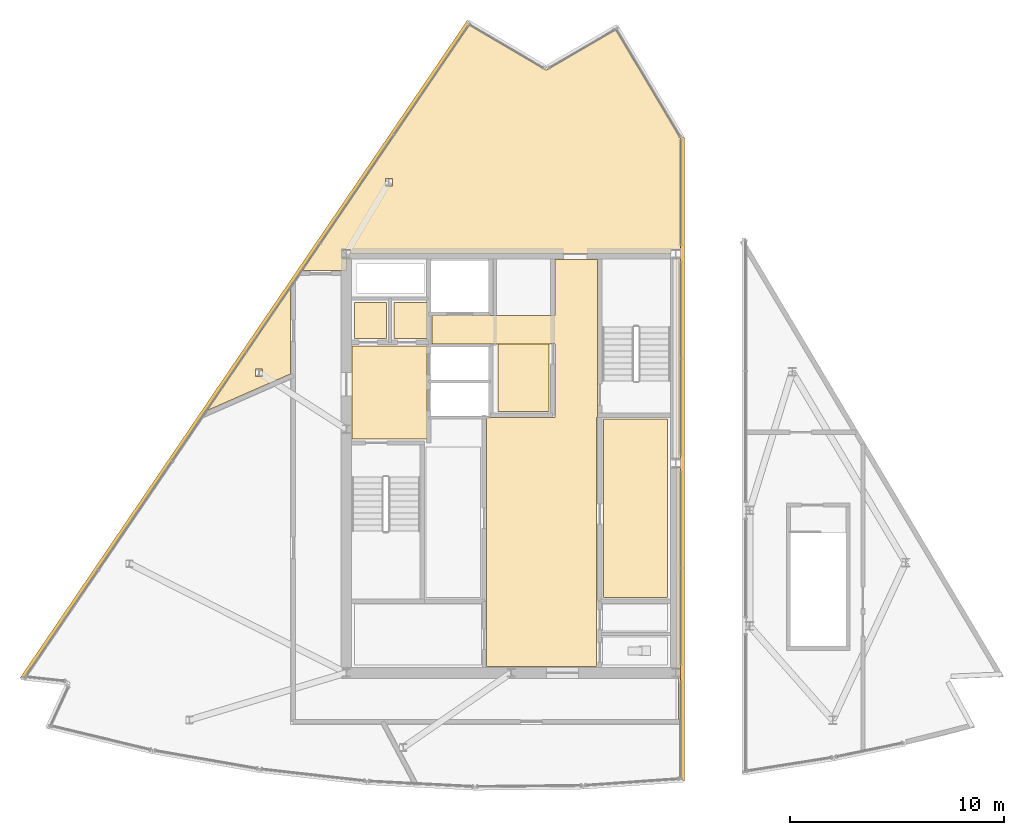
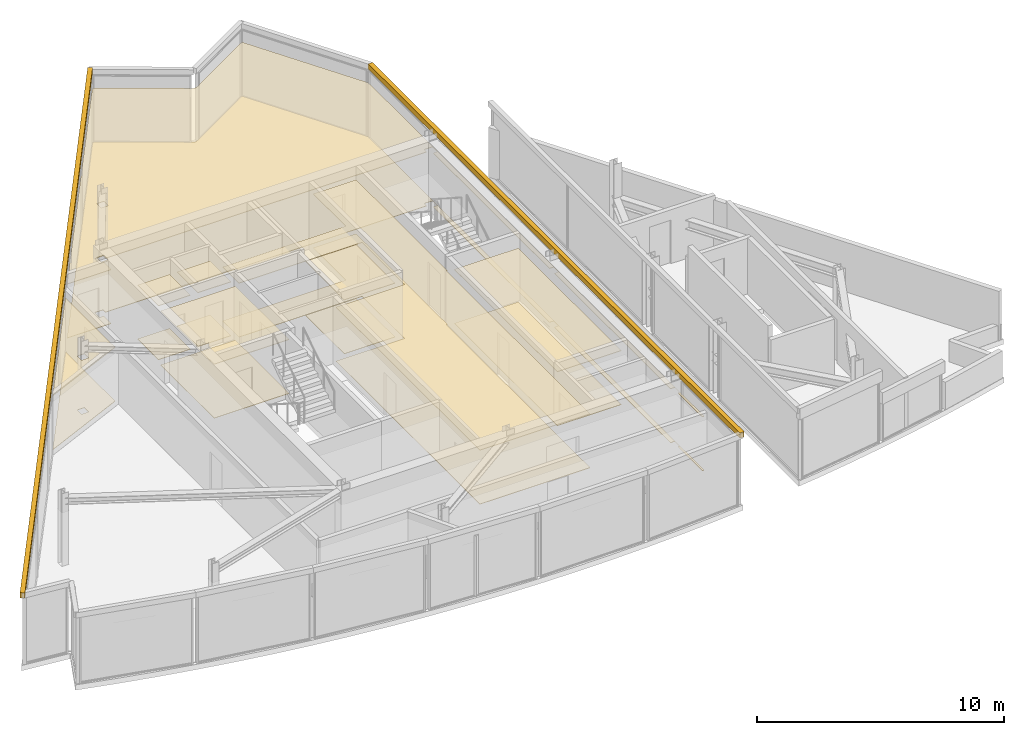
# One storey, part 11 of 13: 18 coverings.
"""IFC4 building model written with IfcOpenShell, lengths in metres."""

from ifc_helpers import new_model, si_unit, direction, frame, origin, place, context, subcontext, project, spatial, polyline, outline, extrude, material, layer, layer_set, type_object, element, save


model = new_model("IFC4")

# Units and contexts
model_context = context("Model", 3, precision=1e-05, world=origin(), true_north=direction((0.0, 1.0)))
body_context = subcontext(model_context, "Body", "Model", "MODEL_VIEW")
ifc_project = project(units=[si_unit("LENGTHUNIT", "METRE"), si_unit("AREAUNIT", "SQUARE_METRE"), si_unit("VOLUMEUNIT", "CUBIC_METRE"), si_unit("PLANEANGLEUNIT", "RADIAN"), si_unit("MASSUNIT", "GRAM", prefix="KILO")], contexts=[model_context])

# Site, building, storey
site_placement = place(None, origin())
site = spatial("IfcSite", under=ifc_project, at=site_placement, CompositionType="ELEMENT")
building_placement = place(site_placement, origin())
building = spatial("IfcBuilding", under=site, at=building_placement, Name="Savorim Split Tower", CompositionType="ELEMENT")
storey_placement = place(building_placement, frame((0.0, 0.0, 312.0)))
storey = spatial("IfcBuildingStorey", under=building, at=storey_placement, Name="Crown L83 Plant", CompositionType="ELEMENT", Elevation=312.0)

# Coverings
ifc_material_1 = material(Name="Mineral Fibre Acoustic Ceiling")
ifc_layer_1 = layer(ifc_material_1, 0.02490234375)
ifc_layer_set_1 = layer_set([ifc_layer_1], Name="COV-CEIL-25")
covering_type_1 = type_object("IfcCoveringType", Name="COV-CEIL-25", PredefinedType="CEILING", material=ifc_layer_set_1)
covering_1_placement = place(storey_placement, frame((0.0, 0.0, 2.659912109375)))
element("IfcCovering", 1, at=covering_1_placement, inside=storey, type_object=covering_type_1, Name="Crown L83 Plant Crown Stair Lobby Acoustic Ceiling", PredefinedType="CEILING", context=body_context, shape_type="SweptSolid", body=[
    extrude(outline(polyline([(-7.429931640625, 5.8701171875), (-7.429931640625, 1.530029296875), (-3.929931640625, 1.530029296875), (-3.929931640625, 5.8701171875), (-7.429931640625, 5.8701171875)])), origin(), (0.0, 0.0, 1.0), 0.025146484375),
])
covering_2_placement = place(storey_placement, frame((0.0, 0.0, 2.659912109375)))
element("IfcCovering", 2, at=covering_2_placement, inside=storey, type_object=covering_type_1, Name="Crown L83 Plant Electrical Riser Acoustic Ceiling", PredefinedType="CEILING", context=body_context, shape_type="SweptSolid", body=[
    extrude(outline(polyline([(-7.320068359375, 7.919921875), (-7.320068359375, 6.22998046875), (-5.830078125, 6.22998046875), (-5.830078125, 7.919921875), (-7.320068359375, 7.919921875)])), origin(), (0.0, 0.0, 1.0), 0.025146484375),
])
covering_3_placement = place(storey_placement, frame((0.0, 0.0, 2.659912109375)))
element("IfcCovering", 3, at=covering_3_placement, inside=storey, type_object=covering_type_1, Name="Crown L83 Plant Telecom Riser Acoustic Ceiling", PredefinedType="CEILING", context=body_context, shape_type="SweptSolid", body=[
    extrude(outline(polyline([(-5.469970703125, 7.919921875), (-5.469970703125, 6.22998046875), (-3.929931640625, 6.22998046875), (-3.929931640625, 7.919921875), (-5.469970703125, 7.919921875)])), origin(), (0.0, 0.0, 1.0), 0.025146484375),
])
covering_4_placement = place(storey_placement, frame((0.0, 0.0, 2.659912109375)))
element("IfcCovering", 4, at=covering_4_placement, inside=storey, type_object=covering_type_1, Name="Crown L83 Plant Lift Lobby Acoustic Ceiling", PredefinedType="CEILING", context=body_context, shape_type="SweptSolid", body=[
    extrude(outline(polyline([(2.050048828125, 2.550048828125), (-1.14990234375, 2.550048828125), (-1.14990234375, -9.10009765625), (4.0, -9.10009765625), (4.0, 2.550048828125), (4.050048828125, 2.550048828125), (4.050048828125, 5.97998046875), (4.050048828125, 7.300048828125), (4.050048828125, 9.929931640625), (2.050048828125, 9.929931640625), (2.050048828125, 7.300048828125), (-3.699951171875, 7.300048828125), (-3.699951171875, 5.97998046875), (2.050048828125, 5.97998046875), (2.050048828125, 2.550048828125)])), origin(), (0.0, 0.0, 1.0), 0.025146484375),
])
covering_5_placement = place(storey_placement, frame((0.0, 0.0, 2.659912109375)))
element("IfcCovering", 5, at=covering_5_placement, inside=storey, type_object=covering_type_1, Name="Crown L83 Plant Substructure Core Store East Acoustic Ceiling", PredefinedType="CEILING", context=body_context, shape_type="SweptSolid", body=[
    extrude(outline(polyline([(4.330078125, 2.469970703125), (4.330078125, -5.8701171875), (7.320068359375, -5.8701171875), (7.320068359375, 2.469970703125), (4.330078125, 2.469970703125)])), origin(), (0.0, 0.0, 1.0), 0.025146484375),
])
covering_6_placement = place(storey_placement, frame((0.0, 0.0, 2.659912109375)))
element("IfcCovering", 6, at=covering_6_placement, inside=storey, type_object=covering_type_1, Name="Crown L83 Plant Crown BMS Plant Room Acoustic Ceiling", PredefinedType="CEILING", context=body_context, shape_type="SweptSolid", body=[
    extrude(outline(polyline([(1.77001953125, 5.969970703125), (-0.60009765625, 5.969970703125), (-0.60009765625, 2.830078125), (1.77001953125, 2.830078125), (1.77001953125, 5.969970703125)])), origin(), (0.0, 0.0, 1.0), 0.025146484375),
])
covering_7_placement = place(storey_placement, frame((0.0, 0.0, 2.659912109375)))
element("IfcCovering", 7, at=covering_7_placement, inside=storey, type_object=covering_type_1, Name="Crown L83 Plant Booster Pump Plant Room Acoustic Ceiling", PredefinedType="CEILING", context=body_context, shape_type="SweptSolid", body=[
    extrude(outline(polyline([(1.58349609375, 18.802490234375), (1.57177734375, 18.808837890625), (-1.950927734375, 20.879150390625), (-9.760009765625, 9.39990234375), (-7.699951171875, 9.39990234375), (-7.699951171875, 10.00390625), (-7.89697265625, 10.00390625), (-7.89697265625, 10.39599609375), (-7.5029296875, 10.39599609375), (-7.5029296875, 10.199951171875), (7.5029296875, 10.199951171875), (7.5029296875, 10.39599609375), (7.89697265625, 10.39599609375), (7.89697265625, 10.00390625), (7.699951171875, 10.00390625), (7.699951171875, 0.595947265625), (7.89697265625, 0.595947265625), (7.89697265625, 0.2041015625), (7.699951171875, 0.2041015625), (7.699951171875, -9.2041015625), (7.89697265625, -9.2041015625), (7.89697265625, -9.595947265625), (7.820068359375, -9.595947265625), (7.820068359375, -11.56005859375), (7.909912109375, -11.56005859375), (7.909912109375, 15.59619140625), (4.896484375, 20.6640625), (1.713134765625, 18.80859375), (1.701171875, 18.802490234375), (1.688720703125, 18.79736328125), (1.67578125, 18.793701171875), (1.66259765625, 18.791015625), (1.649169921875, 18.789794921875), (1.635498046875, 18.789794921875), (1.622314453125, 18.791015625), (1.60888671875, 18.793701171875), (1.59619140625, 18.797607421875), (1.58349609375, 18.802490234375)]), holes=[polyline([(-5.545166015625, 13.71728515625), (-5.875244140625, 13.71728515625), (-5.875244140625, 13.3671875), (-5.545166015625, 13.3671875), (-5.545166015625, 13.71728515625)])]), origin(), (0.0, 0.0, 1.0), 0.025146484375),
])
covering_8_placement = place(storey_placement, frame((0.0, 0.0, 2.659912109375)))
element("IfcCovering", 8, at=covering_8_placement, inside=storey, type_object=covering_type_1, Name="Crown L83 Plant Smoke Extract Fan Plant Room Acoustic Ceiling", PredefinedType="CEILING", context=body_context, shape_type="SweptSolid", body=[
    extrude(outline(polyline([(-14.205078125, 2.865478515625), (-10.300048828125, 4.578369140625), (-10.300048828125, 8.606201171875), (-14.205078125, 2.865478515625)]), holes=[polyline([(-11.6103515625, 4.451904296875), (-11.6103515625, 4.8017578125), (-11.940185546875, 4.8017578125), (-11.940185546875, 4.451904296875), (-11.6103515625, 4.451904296875)])]), origin(), (0.0, 0.0, 1.0), 0.025146484375),
])
ifc_material_2 = material(Name="Terracotta Ceramic-Coated Aluminium Fin", Category="masonry")
ifc_layer_2 = layer(ifc_material_2, 0.050048828125)
ifc_layer_set_2 = layer_set([ifc_layer_2], Name="COV-CLAD-TERRA")
covering_type_2 = type_object("IfcCoveringType", Name="COV-CLAD-TERRA", PredefinedType="CLADDING", material=ifc_layer_set_2)
covering_9_placement = place(storey_placement, frame((0.0, 0.0, 3.340087890625)))
element("IfcCovering", 9, at=covering_9_placement, inside=storey, type_object=covering_type_2, Name="Crown L83 Plant Sloped Crest Eave Spandrel W1", PredefinedType="CLADDING", context=body_context, shape_type="SweptSolid", body=[
    extrude(outline(polyline([(8.110107421875, -14.44921875), (8.110107421875, 15.634765625), (7.909912109375, 15.634765625), (7.909912109375, -14.44921875), (8.110107421875, -14.44921875)])), origin(), (0.0, 0.0, 1.0), 0.260009765625),
])
covering_10_placement = place(storey_placement, frame((0.0, 0.0, 3.340087890625)))
element("IfcCovering", 10, at=covering_10_placement, inside=storey, type_object=covering_type_2, Name="Crown L83 Plant Sloped Crest Eave Spandrel W5", PredefinedType="CLADDING", context=body_context, shape_type="SweptSolid", body=[
    extrude(outline(polyline([(-2.04248046875, 21.10009765625), (-22.95068359375, -9.634521484375), (-22.78515625, -9.7470703125), (-1.877197265625, 20.987548828125), (-2.04248046875, 21.10009765625)])), origin(), (0.0, 0.0, 1.0), 0.260009765625),
])
ifc_material_3 = material(Name="Porcelain Stoneware Flooring", Category="masonry")
ifc_layer_3 = layer(ifc_material_3, 0.02001953125)
ifc_layer_set_3 = layer_set([ifc_layer_3], Name="COV-FLOR-20")
covering_type_3 = type_object("IfcCoveringType", Name="COV-FLOR-20", PredefinedType="FLOORING", material=ifc_layer_set_3)
covering_11_placement = place(storey_placement, origin())
element("IfcCovering", 11, at=covering_11_placement, inside=storey, type_object=covering_type_3, Name="Crown L83 Plant Crown Stair Lobby Porcelain Flooring", PredefinedType="FLOORING", context=body_context, shape_type="SweptSolid", body=[
    extrude(outline(polyline([(-7.429931640625, 5.8701171875), (-7.429931640625, 1.530029296875), (-3.929931640625, 1.530029296875), (-3.929931640625, 5.8701171875), (-7.429931640625, 5.8701171875)])), origin(), (0.0, 0.0, 1.0), 0.02001953125),
])
covering_12_placement = place(storey_placement, origin())
element("IfcCovering", 12, at=covering_12_placement, inside=storey, type_object=covering_type_3, Name="Crown L83 Plant Electrical Riser Porcelain Flooring", PredefinedType="FLOORING", context=body_context, shape_type="SweptSolid", body=[
    extrude(outline(polyline([(-7.320068359375, 7.919921875), (-7.320068359375, 6.22998046875), (-5.830078125, 6.22998046875), (-5.830078125, 7.919921875), (-7.320068359375, 7.919921875)])), origin(), (0.0, 0.0, 1.0), 0.02001953125),
])
covering_13_placement = place(storey_placement, origin())
element("IfcCovering", 13, at=covering_13_placement, inside=storey, type_object=covering_type_3, Name="Crown L83 Plant Telecom Riser Porcelain Flooring", PredefinedType="FLOORING", context=body_context, shape_type="SweptSolid", body=[
    extrude(outline(polyline([(-5.469970703125, 7.919921875), (-5.469970703125, 6.22998046875), (-3.929931640625, 6.22998046875), (-3.929931640625, 7.919921875), (-5.469970703125, 7.919921875)])), origin(), (0.0, 0.0, 1.0), 0.02001953125),
])
covering_14_placement = place(storey_placement, origin())
element("IfcCovering", 14, at=covering_14_placement, inside=storey, type_object=covering_type_3, Name="Crown L83 Plant Lift Lobby Porcelain Flooring", PredefinedType="FLOORING", context=body_context, shape_type="SweptSolid", body=[
    extrude(outline(polyline([(2.050048828125, 2.550048828125), (-1.14990234375, 2.550048828125), (-1.14990234375, -9.10009765625), (4.0, -9.10009765625), (4.0, 2.550048828125), (4.050048828125, 2.550048828125), (4.050048828125, 5.97998046875), (4.050048828125, 7.300048828125), (4.050048828125, 9.929931640625), (2.050048828125, 9.929931640625), (2.050048828125, 7.300048828125), (-3.699951171875, 7.300048828125), (-3.699951171875, 5.97998046875), (2.050048828125, 5.97998046875), (2.050048828125, 2.550048828125)])), origin(), (0.0, 0.0, 1.0), 0.02001953125),
])
covering_15_placement = place(storey_placement, origin())
element("IfcCovering", 15, at=covering_15_placement, inside=storey, type_object=covering_type_3, Name="Crown L83 Plant Substructure Core Store East Porcelain Flooring", PredefinedType="FLOORING", context=body_context, shape_type="SweptSolid", body=[
    extrude(outline(polyline([(4.330078125, 2.469970703125), (4.330078125, -5.8701171875), (7.320068359375, -5.8701171875), (7.320068359375, 2.469970703125), (4.330078125, 2.469970703125)])), origin(), (0.0, 0.0, 1.0), 0.02001953125),
])
covering_16_placement = place(storey_placement, origin())
element("IfcCovering", 16, at=covering_16_placement, inside=storey, type_object=covering_type_3, Name="Crown L83 Plant Crown BMS Plant Room Porcelain Flooring", PredefinedType="FLOORING", context=body_context, shape_type="SweptSolid", body=[
    extrude(outline(polyline([(1.77001953125, 5.969970703125), (-0.60009765625, 5.969970703125), (-0.60009765625, 2.830078125), (1.77001953125, 2.830078125), (1.77001953125, 5.969970703125)])), origin(), (0.0, 0.0, 1.0), 0.02001953125),
])
covering_17_placement = place(storey_placement, origin())
element("IfcCovering", 17, at=covering_17_placement, inside=storey, type_object=covering_type_3, Name="Crown L83 Plant Booster Pump Plant Room Porcelain Flooring", PredefinedType="FLOORING", context=body_context, shape_type="SweptSolid", body=[
    extrude(outline(polyline([(1.58349609375, 18.802490234375), (1.57177734375, 18.808837890625), (-1.950927734375, 20.879150390625), (-9.760009765625, 9.39990234375), (-7.699951171875, 9.39990234375), (-7.699951171875, 10.00390625), (-7.89697265625, 10.00390625), (-7.89697265625, 10.39599609375), (-7.5029296875, 10.39599609375), (-7.5029296875, 10.199951171875), (7.5029296875, 10.199951171875), (7.5029296875, 10.39599609375), (7.89697265625, 10.39599609375), (7.89697265625, 10.00390625), (7.699951171875, 10.00390625), (7.699951171875, 0.595947265625), (7.89697265625, 0.595947265625), (7.89697265625, 0.2041015625), (7.699951171875, 0.2041015625), (7.699951171875, -9.2041015625), (7.89697265625, -9.2041015625), (7.89697265625, -9.595947265625), (7.820068359375, -9.595947265625), (7.820068359375, -11.56005859375), (7.909912109375, -11.56005859375), (7.909912109375, 15.59619140625), (4.896484375, 20.6640625), (1.713134765625, 18.80859375), (1.701171875, 18.802490234375), (1.688720703125, 18.79736328125), (1.67578125, 18.793701171875), (1.66259765625, 18.791015625), (1.649169921875, 18.789794921875), (1.635498046875, 18.789794921875), (1.622314453125, 18.791015625), (1.60888671875, 18.793701171875), (1.59619140625, 18.797607421875), (1.58349609375, 18.802490234375)]), holes=[polyline([(-5.545166015625, 13.71728515625), (-5.875244140625, 13.71728515625), (-5.875244140625, 13.3671875), (-5.545166015625, 13.3671875), (-5.545166015625, 13.71728515625)])]), origin(), (0.0, 0.0, 1.0), 0.02001953125),
])
covering_18_placement = place(storey_placement, origin())
element("IfcCovering", 18, at=covering_18_placement, inside=storey, type_object=covering_type_3, Name="Crown L83 Plant Smoke Extract Fan Plant Room Porcelain Flooring", PredefinedType="FLOORING", context=body_context, shape_type="SweptSolid", body=[
    extrude(outline(polyline([(-14.205078125, 2.865478515625), (-10.300048828125, 4.578369140625), (-10.300048828125, 8.606201171875), (-14.205078125, 2.865478515625)]), holes=[polyline([(-11.6103515625, 4.451904296875), (-11.6103515625, 4.8017578125), (-11.940185546875, 4.8017578125), (-11.940185546875, 4.451904296875), (-11.6103515625, 4.451904296875)])]), origin(), (0.0, 0.0, 1.0), 0.02001953125),
])

save(model, "model.ifc")
